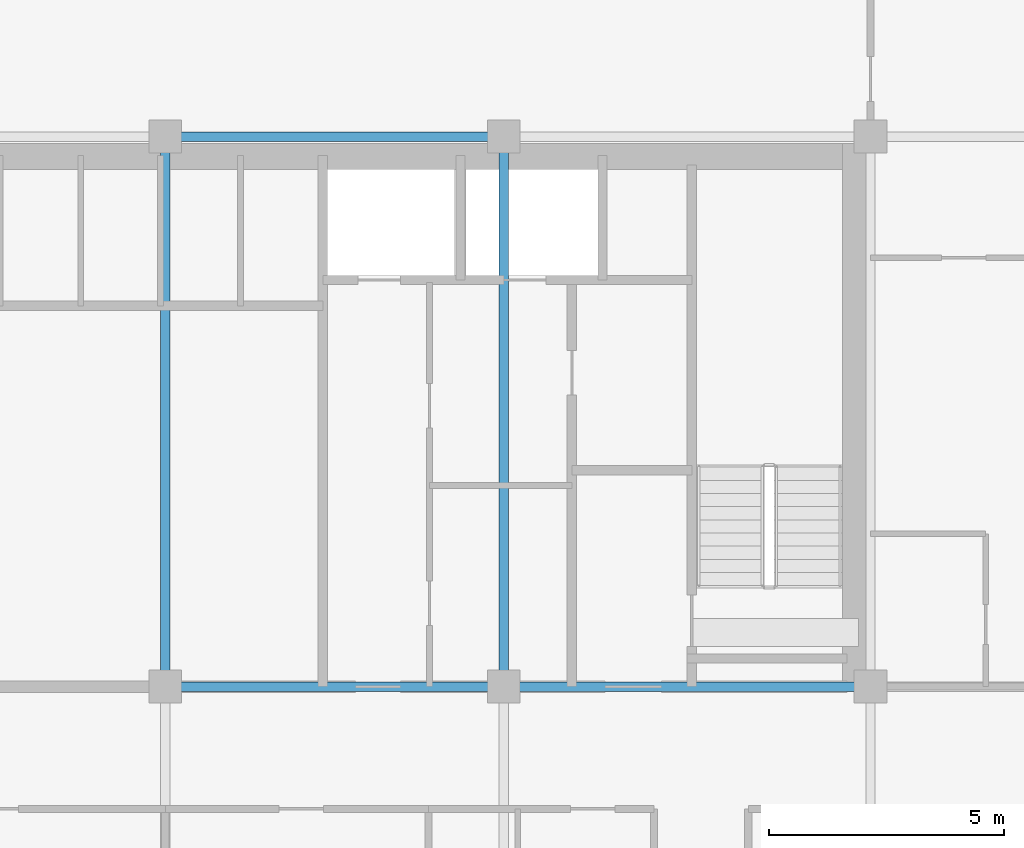
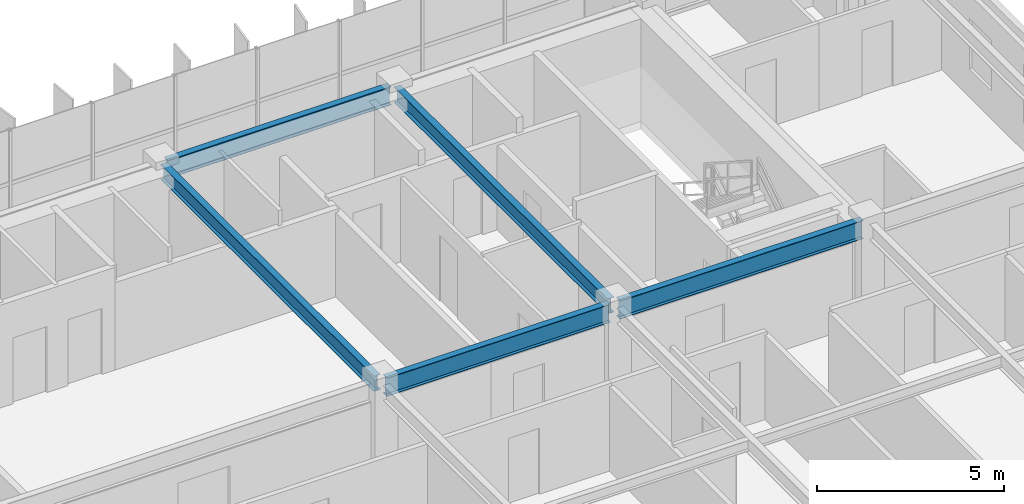
# One storey, part 8 of 21: 5 beams.
"""IFC4 building model written with IfcOpenShell, lengths in metres."""

from ifc_helpers import new_model, si_unit, direction, frame, origin, origin_2d, place, context, subcontext, project, spatial, i_section, extrude, source, transform, mapped, material, material_profile, profile_set, type_object, element, save


model = new_model("IFC4")

# Units and contexts
model_context = context("Model", 3, precision=1e-05, world=origin(), true_north=direction((0.0, 1.0)))
body_context = subcontext(model_context, "Body", "Model", "MODEL_VIEW")
ifc_project = project(units=[si_unit("LENGTHUNIT", "METRE"), si_unit("AREAUNIT", "SQUARE_METRE"), si_unit("VOLUMEUNIT", "CUBIC_METRE"), si_unit("PLANEANGLEUNIT", "RADIAN"), si_unit("MASSUNIT", "GRAM", prefix="KILO")], contexts=[model_context])

# Site, building, storey
site_placement = place(None, origin())
site = spatial("IfcSite", under=ifc_project, at=site_placement, CompositionType="ELEMENT")
building_placement = place(site_placement, origin())
building = spatial("IfcBuilding", under=site, at=building_placement, Name="Trelvane Seafront Commons", CompositionType="ELEMENT")
storey_placement = place(building_placement, frame((0.0, 0.0, 160.89990234375)))
storey = spatial("IfcBuildingStorey", under=building, at=storey_placement, Name="L42", CompositionType="ELEMENT", Elevation=160.89990234375)

# Beams
ifc_material = material(Name="Steel SM355 (S355)", Category="steel")
ifc_material_profile_1 = material_profile(ifc_material, i_section(OverallWidth=0.199951171875, OverallDepth=0.5, WebThickness=0.010009765625, FlangeThickness=0.01611328125, at=origin_2d()), Name="H-500x200x10x16")
ifc_profile_set_1 = profile_set([ifc_material_profile_1], Name="Steel SM355 (S355)")
beam_type_1 = type_object("IfcBeamType", Name="STR-BM-H500", PredefinedType="BEAM", material=ifc_profile_set_1)
shared_shape_1 = source(origin(), body_context, "Body", "SweptSolid", [
    extrude(i_section(OverallWidth=0.199951171875, OverallDepth=0.5, WebThickness=0.010009765625, FlangeThickness=0.01611328125, at=origin_2d()), origin(), (0.0, 0.0, 1.0), 11.39990234375),
])
for number, where, z_axis, x_axis, name in (
    (1, (43.800048828125, 33.550048828125, 3.10009765625), (0.0, 1.0, 0.0), (-1.0, 0.0, 0.0), "L42 Primary Girder G-43"),
    (2, (51.0, 33.550048828125, 3.10009765625), (0.0, 1.0, 0.0), (-1.0, 0.0, 0.0), "L42 Primary Girder G-46"),
):
    element("IfcBeam", number, at=place(storey_placement, frame(where, z_axis=z_axis, x_axis=x_axis)), inside=storey, type_object=beam_type_1, Name=name, PredefinedType="BEAM", context=body_context, shape_type="MappedRepresentation", body=[
        mapped(shared_shape_1, transform((0.0, 0.0, 0.0), x_axis=(1.0, 0.0, 0.0), y_axis=(0.0, 1.0, 0.0), z_axis=(0.0, 0.0, 1.0), scale=1.0)),
    ])
ifc_material_profile_2 = material_profile(ifc_material, i_section(OverallWidth=0.199951171875, OverallDepth=0.60009765625, WebThickness=0.010986328125, FlangeThickness=0.01708984375, at=origin_2d()), Name="H-600x200x11x17")
ifc_profile_set_2 = profile_set([ifc_material_profile_2], Name="Steel SM355 (S355)")
beam_type_2 = type_object("IfcBeamType", Name="STR-SPD-H600", PredefinedType="SPANDREL", material=ifc_profile_set_2)
shared_shape_2 = source(origin(), body_context, "Body", "SweptSolid", [
    extrude(i_section(OverallWidth=0.199951171875, OverallDepth=0.60009765625, WebThickness=0.010986328125, FlangeThickness=0.01708984375, at=origin_2d()), origin(), (0.0, 0.0, 1.0), 7.5),
])
beam_placement = place(storey_placement, frame((51.14990234375, 33.39990234375, 3.050048828125), z_axis=(1.0, 0.0, 0.0), x_axis=(0.0, 1.0, 0.0)))
element("IfcBeam", 3, at=beam_placement, inside=storey, type_object=beam_type_2, Name="L42 Primary Girder G-20", PredefinedType="SPANDREL", context=body_context, shape_type="MappedRepresentation", body=[
    mapped(shared_shape_2, transform((0.0, 0.0, 0.0), x_axis=(1.0, 0.0, 0.0), y_axis=(0.0, 1.0, 0.0), z_axis=(0.0, 0.0, 1.0), scale=1.0)),
])
shared_shape_3 = source(origin(), body_context, "Body", "SweptSolid", [
    extrude(i_section(OverallWidth=0.199951171875, OverallDepth=0.60009765625, WebThickness=0.010986328125, FlangeThickness=0.01708984375, at=origin_2d()), origin(), (0.0, 0.0, 1.0), 6.900146484375),
])
for number, where, z_axis, x_axis, name in (
    (4, (43.949951171875, 33.39990234375, 3.050048828125), (1.0, 0.0, 0.0), (0.0, 1.0, 0.0), "L42 Primary Girder G-19"),
    (5, (43.949951171875, 45.10009765625, 3.050048828125), (1.0, 0.0, 0.0), (0.0, 1.0, 0.0), "L42 Primary Girder G-26"),
):
    element("IfcBeam", number, at=place(storey_placement, frame(where, z_axis=z_axis, x_axis=x_axis)), inside=storey, type_object=beam_type_2, Name=name, PredefinedType="SPANDREL", context=body_context, shape_type="MappedRepresentation", body=[
        mapped(shared_shape_3, transform((0.0, 0.0, 0.0), x_axis=(1.0, 0.0, 0.0), y_axis=(0.0, 1.0, 0.0), z_axis=(0.0, 0.0, 1.0), scale=1.0)),
    ])

save(model, "model.ifc")
